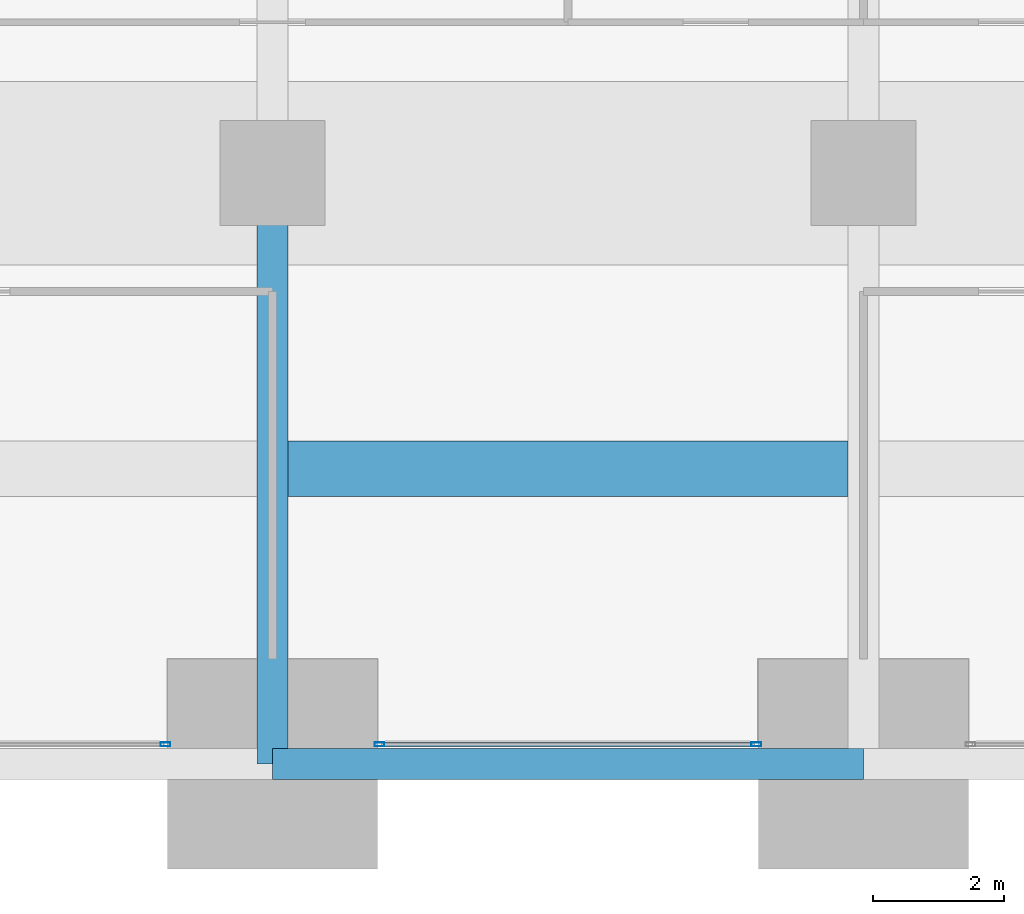
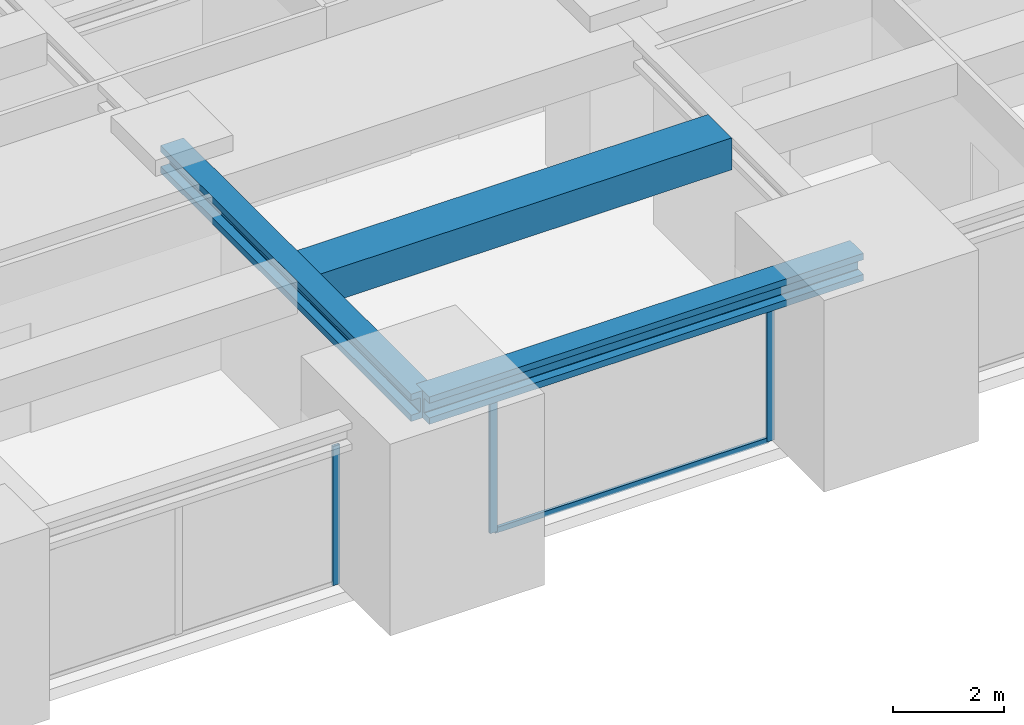
# One storey, part 7 of 39: 4 members, 3 beams, 2 elements without a shape of their own.
"""IFC4 building model written with IfcOpenShell, lengths in metres."""

from ifc_helpers import new_model, si_unit, direction, frame, origin, origin_2d, place, context, subcontext, project, spatial, rectangle, hollow_rectangle, i_section, extrude, material, material_profile, profile_set, type_object, element, aggregate, save


model = new_model("IFC4")

# Units and contexts
model_context = context("Model", 3, precision=1e-05, world=origin(), true_north=direction((0.0, 1.0)))
body_context = subcontext(model_context, "Body", "Model", "MODEL_VIEW")
ifc_project = project(units=[si_unit("LENGTHUNIT", "METRE"), si_unit("AREAUNIT", "SQUARE_METRE"), si_unit("VOLUMEUNIT", "CUBIC_METRE"), si_unit("PLANEANGLEUNIT", "RADIAN"), si_unit("MASSUNIT", "GRAM", prefix="KILO")], contexts=[model_context])

# Site, building, storey
site_placement = place(None, origin())
site = spatial("IfcSite", under=ifc_project, at=site_placement, CompositionType="ELEMENT")
building_placement = place(site_placement, origin())
building = spatial("IfcBuilding", under=site, at=building_placement, Name="Zorevar Civic Tower", CompositionType="ELEMENT")
storey_placement = place(building_placement, frame((0.0, 0.0, 230.199951171875)))
storey = spatial("IfcBuildingStorey", under=building, at=storey_placement, Name="L56", CompositionType="ELEMENT", Elevation=230.199951171875)

# Beams
ifc_material_1 = material(Name="Concrete C50/60", Category="concrete")
ifc_material_profile_1 = material_profile(ifc_material_1, rectangle(XDim=0.85009765625, YDim=0.699951171875, at=origin_2d()), Name="RC 850x700")
ifc_profile_set_1 = profile_set([ifc_material_profile_1], Name="Concrete C50/60")
beam_type_1 = type_object("IfcBeamType", Name="Beam RC 850x700", PredefinedType="BEAM", material=ifc_profile_set_1)
beam_1_placement = place(storey_placement, frame((18.238037109375, 4.5, 3.5), z_axis=(1.0, 0.0, 0.0), x_axis=(0.0, 1.0, 0.0)))
element("IfcBeam", 1, at=beam_1_placement, inside=storey, type_object=beam_type_1, Name="Secondary beam L57", PredefinedType="BEAM", context=body_context, shape_type="SweptSolid", body=[
    extrude(rectangle(XDim=0.85009765625, YDim=0.699951171875, at=origin_2d()), origin(), (0.0, 0.0, 1.0), 8.52392578125),
])
ifc_material_2 = material(Name="Steel S460M (HISTAR 460)", Category="steel")
ifc_material_profile_2 = material_profile(ifc_material_2, i_section(OverallWidth=0.47607421875, OverallDepth=0.60009765625, WebThickness=0.10009765625, FlangeThickness=0.139892578125, FilletRadius=0.014892578125, at=origin_2d()), Name="HD 400x1299")
ifc_profile_set_2 = profile_set([ifc_material_profile_2], Name="Steel S460M (HISTAR 460)")
beam_type_2 = type_object("IfcBeamType", Name="Belt chord HD 400x1299", PredefinedType="BEAM", material=ifc_profile_set_2)
beam_2_placement = place(storey_placement, frame((18.0, 0.0, 3.550048828125), z_axis=(1.0, 0.0, 0.0), x_axis=(0.0, 1.0, 0.0)))
element("IfcBeam", 2, at=beam_2_placement, inside=storey, type_object=beam_type_2, Name="Belt chord L57", PredefinedType="BEAM", context=body_context, shape_type="SweptSolid", body=[
    extrude(i_section(OverallWidth=0.47607421875, OverallDepth=0.60009765625, WebThickness=0.10009765625, FlangeThickness=0.139892578125, FilletRadius=0.014892578125, at=origin_2d()), origin(), (0.0, 0.0, 1.0), 9.0),
])

# Curtain wall, member
ifc_material_3 = material(Name="Dark grey solar-control glass in black aluminium frame", Category="aluminium")
curtain_wall_type = type_object("IfcCurtainWallType", Name="Curtain wall CW4 high zone", PredefinedType="NOTDEFINED", material=ifc_material_3)
curtain_wall_1_placement = place(storey_placement, origin())
curtain_wall_1 = element("IfcCurtainWall", 3, at=curtain_wall_1_placement, inside=storey, type_object=curtain_wall_type, Name="CW4 L56", PredefinedType="NOTDEFINED")
ifc_material_4 = material(Name="Aluminium, black anodised", Category="aluminium")
ifc_material_profile_3 = material_profile(ifc_material_4, hollow_rectangle(XDim=0.06005859375, YDim=0.14990234375, WallThickness=0.00390625, at=origin_2d()), Name="AL 150x60x4")
ifc_profile_set_3 = profile_set([ifc_material_profile_3], Name="Aluminium, black anodised")
member_type_1 = type_object("IfcMemberType", Name="CW4 mullion AL 150x60x4", PredefinedType="MULLION", material=ifc_profile_set_3)
member_1_placement = place(storey_placement, frame((16.3701171875, 0.300048828125, 0.0), z_axis=(0.0, 0.0, 1.0), x_axis=(0.0, 1.0, 0.0)))
member_1 = element("IfcMember", 4, at=member_1_placement, type_object=member_type_1, Name="CW4 mullion 3", PredefinedType="MULLION", context=body_context, shape_type="SweptSolid", body=[
    extrude(hollow_rectangle(XDim=0.06005859375, YDim=0.14990234375, WallThickness=0.00390625, at=origin_2d()), origin(), (0.0, 0.0, 1.0), 3.050048828125),
])
aggregate(curtain_wall_1, [member_1])

# Curtain wall, members
curtain_wall_2_placement = place(storey_placement, origin())
curtain_wall_2 = element("IfcCurtainWall", 5, at=curtain_wall_2_placement, inside=storey, type_object=curtain_wall_type, Name="CW4 L56", PredefinedType="NOTDEFINED")
member_2_placement = place(storey_placement, frame((19.6298828125, 0.300048828125, 0.0), z_axis=(0.0, 0.0, 1.0), x_axis=(0.0, 1.0, 0.0)))
member_2 = element("IfcMember", 6, at=member_2_placement, type_object=member_type_1, Name="CW4 mullion 1", PredefinedType="MULLION", context=body_context, shape_type="SweptSolid", body=[
    extrude(hollow_rectangle(XDim=0.06005859375, YDim=0.14990234375, WallThickness=0.00390625, at=origin_2d()), origin(), (0.0, 0.0, 1.0), 3.050048828125),
])
member_3_placement = place(storey_placement, frame((25.3701171875, 0.300048828125, 0.0), z_axis=(0.0, 0.0, 1.0), x_axis=(0.0, 1.0, 0.0)))
member_3 = element("IfcMember", 7, at=member_3_placement, type_object=member_type_1, Name="CW4 mullion 2", PredefinedType="MULLION", context=body_context, shape_type="SweptSolid", body=[
    extrude(hollow_rectangle(XDim=0.06005859375, YDim=0.14990234375, WallThickness=0.00390625, at=origin_2d()), origin(), (0.0, 0.0, 1.0), 3.050048828125),
])
ifc_material_5 = material(Name="Aluminium, black anodised", Category="aluminium")
ifc_material_profile_4 = material_profile(ifc_material_5, hollow_rectangle(XDim=0.06005859375, YDim=0.1201171875, WallThickness=0.0029296875, at=origin_2d()), Name="AL 120x60x3")
ifc_profile_set_4 = profile_set([ifc_material_profile_4], Name="Aluminium, black anodised")
member_type_2 = type_object("IfcMemberType", Name="CW4 transom AL 120x60x3", PredefinedType="USERDEFINED", material=ifc_profile_set_4)
member_4_placement = place(storey_placement, frame((19.659912109375, 0.300048828125, 0.030029296875), z_axis=(1.0, 0.0, 0.0), x_axis=(0.0, 1.0, 0.0)))
member_4 = element("IfcMember", 8, at=member_4_placement, type_object=member_type_2, Name="CW4 sill transom", ObjectType="TRANSOM", PredefinedType="USERDEFINED", context=body_context, shape_type="SweptSolid", body=[
    extrude(hollow_rectangle(XDim=0.06005859375, YDim=0.1201171875, WallThickness=0.0029296875, at=origin_2d()), origin(), (0.0, 0.0, 1.0), 5.68017578125),
])
aggregate(curtain_wall_2, [member_2, member_3, member_4])

# Beam
ifc_material_6 = material(Name="Steel S460M (HISTAR 460)", Category="steel")
ifc_material_profile_5 = material_profile(ifc_material_6, i_section(OverallWidth=0.47607421875, OverallDepth=0.60009765625, WebThickness=0.10009765625, FlangeThickness=0.139892578125, FilletRadius=0.014892578125, at=origin_2d()), Name="HD 400x1299")
ifc_profile_set_5 = profile_set([ifc_material_profile_5], Name="Steel S460M (HISTAR 460)")
beam_type_3 = type_object("IfcBeamType", Name="Outrigger chord HD 400x1299", PredefinedType="BEAM", material=ifc_profile_set_5)
beam_3_placement = place(storey_placement, frame((18.0, 0.0, 3.550048828125), z_axis=(0.0, 1.0, 0.0), x_axis=(-1.0, 0.0, 0.0)))
element("IfcBeam", 9, at=beam_3_placement, inside=storey, type_object=beam_type_3, Name="Outrigger chord L57", PredefinedType="BEAM", context=body_context, shape_type="SweptSolid", body=[
    extrude(i_section(OverallWidth=0.47607421875, OverallDepth=0.60009765625, WebThickness=0.10009765625, FlangeThickness=0.139892578125, FilletRadius=0.014892578125, at=origin_2d()), origin(), (0.0, 0.0, 1.0), 9.0),
])

save(model, "model.ifc")
